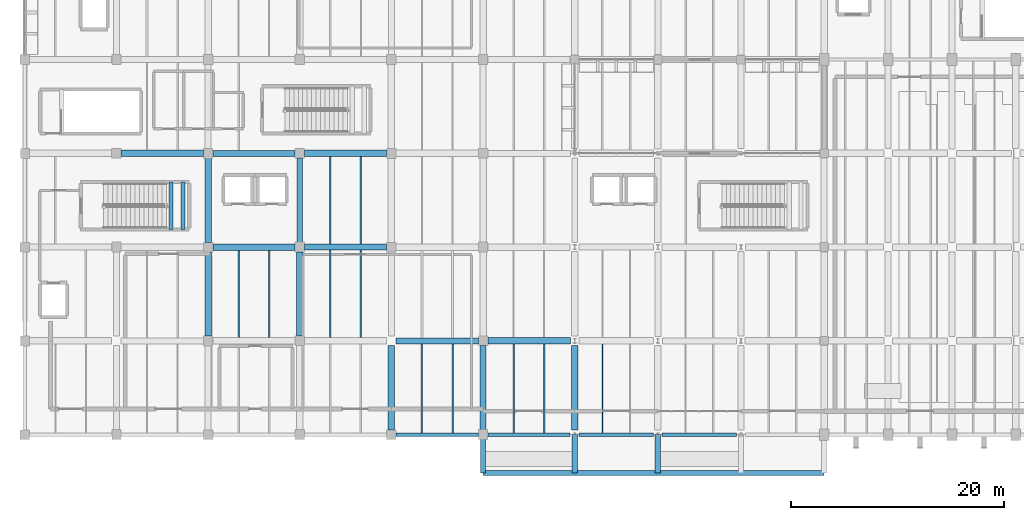
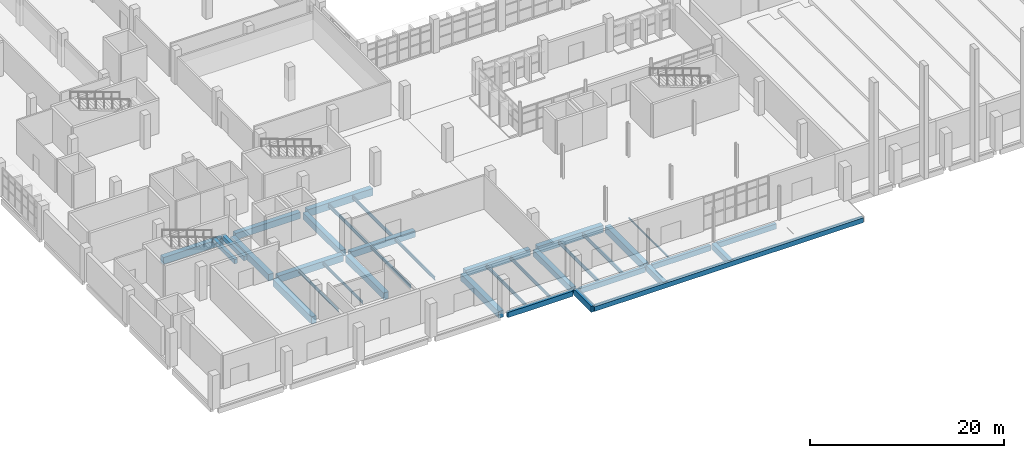
# One storey, part 8 of 76: 35 beams.
"""IFC4 building model written with IfcOpenShell, lengths in metres."""

from ifc_helpers import new_model, si_unit, direction, frame, origin, origin_2d, place, context, subcontext, project, spatial, rectangle, i_section, extrude, material, material_profile, profile_set, type_object, element, save


model = new_model("IFC4")

# Units and contexts
model_context = context("Model", 3, precision=1e-05, world=origin(), true_north=direction((0.0, 1.0)))
body_context = subcontext(model_context, "Body", "Model", "MODEL_VIEW")
ifc_project = project(units=[si_unit("LENGTHUNIT", "METRE"), si_unit("AREAUNIT", "SQUARE_METRE"), si_unit("VOLUMEUNIT", "CUBIC_METRE"), si_unit("PLANEANGLEUNIT", "RADIAN"), si_unit("MASSUNIT", "GRAM", prefix="KILO")], contexts=[model_context])

# Site, building, storey
site_placement = place(None, origin())
site = spatial("IfcSite", under=ifc_project, at=site_placement, CompositionType="ELEMENT")
building_placement = place(site_placement, origin())
building = spatial("IfcBuilding", under=site, at=building_placement, Name="Varnakota Cinema and Media Centre", CompositionType="ELEMENT")
storey_placement = place(building_placement, origin())
storey = spatial("IfcBuildingStorey", under=building, at=storey_placement, Name="L00", CompositionType="ELEMENT", Elevation=0.0)

# Beams
ifc_material_1 = material(Name="Concrete M35", Category="concrete")
ifc_material_profile_1 = material_profile(ifc_material_1, rectangle(XDim=0.39990234375, YDim=0.550048828125, at=origin_2d()), Name="RCB 400x550")
ifc_profile_set_1 = profile_set([ifc_material_profile_1], Name="Concrete M35")
beam_type_1 = type_object("IfcBeamType", Name="BM-RC-400x550", PredefinedType="BEAM", material=ifc_profile_set_1)
for number, where, z_axis, x_axis, name in (
    (1, (13.719970703125, 19.25, 1.77490234375), (0.0, 1.0, 0.0), (-1.0, 0.0, 0.0), "L00 ST-01 landing support beam 1"),
    (2, (14.840087890625, 19.25, 1.77490234375), (0.0, 1.0, 0.0), (-1.0, 0.0, 0.0), "L00 ST-01 landing support beam 2"),
):
    element("IfcBeam", number, at=place(storey_placement, frame(where, z_axis=z_axis, x_axis=x_axis)), inside=storey, type_object=beam_type_1, Name=name, PredefinedType="BEAM", context=body_context, shape_type="SweptSolid", body=[
        extrude(rectangle(XDim=0.39990234375, YDim=0.550048828125, at=origin_2d()), origin(), (0.0, 0.0, 1.0), 4.449951171875),
    ])
ifc_material_2 = material(Name="Concrete M35", Category="concrete")
ifc_material_profile_2 = material_profile(ifc_material_2, rectangle(XDim=0.449951171875, YDim=0.60009765625, at=origin_2d()), Name="RCB 450x600")
ifc_profile_set_2 = profile_set([ifc_material_profile_2], Name="Concrete M35")
beam_type_2 = type_object("IfcBeamType", Name="BM-RC-450x600", PredefinedType="BEAM", material=ifc_profile_set_2)
beam_1_placement = place(storey_placement, frame((43.0, -3.60009765625, -0.5), z_axis=(1.0, 0.0, 0.0), x_axis=(0.0, 1.0, 0.0)))
element("IfcBeam", 3, at=beam_1_placement, inside=storey, type_object=beam_type_2, Name="South forecourt edge beam", PredefinedType="BEAM", context=body_context, shape_type="SweptSolid", body=[
    extrude(rectangle(XDim=0.449951171875, YDim=0.60009765625, at=origin_2d()), origin(), (0.0, 0.0, 1.0), 32.0),
])
ifc_material_3 = material(Name="Concrete M35", Category="concrete")
ifc_material_profile_3 = material_profile(ifc_material_3, rectangle(XDim=0.5, YDim=0.75, at=origin_2d()), Name="RCB 500x750")
ifc_profile_set_3 = profile_set([ifc_material_profile_3], Name="Concrete M35")
beam_type_3 = type_object("IfcBeamType", Name="BM-RC-500x750", PredefinedType="BEAM", material=ifc_profile_set_3)
for number, where, z_axis, x_axis, name in (
    (4, (43.0, 0.0, -0.574951171875), (0.0, -1.0, 0.0), (1.0, 0.0, 0.0), "South forecourt grade beam 1"),
    (5, (51.60009765625, 0.0, -0.574951171875), (0.0, -1.0, 0.0), (1.0, 0.0, 0.0), "South forecourt grade beam 2"),
    (6, (59.39990234375, 0.0, -0.574951171875), (0.0, -1.0, 0.0), (1.0, 0.0, 0.0), "South forecourt grade beam 3"),
):
    element("IfcBeam", number, at=place(storey_placement, frame(where, z_axis=z_axis, x_axis=x_axis)), inside=storey, type_object=beam_type_3, Name=name, PredefinedType="BEAM", context=body_context, shape_type="SweptSolid", body=[
        extrude(rectangle(XDim=0.5, YDim=0.75, at=origin_2d()), origin(), (0.0, 0.0, 1.0), 3.60009765625),
    ])
ifc_material_4 = material(Name="Concrete M35", Category="concrete")
ifc_material_profile_4 = material_profile(ifc_material_4, rectangle(XDim=0.550048828125, YDim=0.800048828125, at=origin_2d()), Name="RCB 550x800")
ifc_profile_set_4 = profile_set([ifc_material_profile_4], Name="Concrete M35")
beam_type_4 = type_object("IfcBeamType", Name="BM-RC-550x800", PredefinedType="BEAM", material=ifc_profile_set_4)
for number, where, z_axis, x_axis, name in (
    (7, (34.85009765625, 8.800048828125, -0.679931640625), (1.0, 0.0, 0.0), (0.0, 1.0, 0.0), "L00 girder E-F/2"),
    (8, (26.25, 17.60009765625, -0.679931640625), (1.0, 0.0, 0.0), (0.0, 1.0, 0.0), "L00 girder D-E/3"),
):
    element("IfcBeam", number, at=place(storey_placement, frame(where, z_axis=z_axis, x_axis=x_axis)), inside=storey, type_object=beam_type_4, Name=name, PredefinedType="BEAM", context=body_context, shape_type="SweptSolid", body=[
        extrude(rectangle(XDim=0.550048828125, YDim=0.800048828125, at=origin_2d()), origin(), (0.0, 0.0, 1.0), 7.699951171875),
    ])
beam_2_placement = place(storey_placement, frame((17.64990234375, 26.39990234375, -0.679931640625), z_axis=(1.0, 0.0, 0.0), x_axis=(0.0, 1.0, 0.0)))
element("IfcBeam", 9, at=beam_2_placement, inside=storey, type_object=beam_type_4, Name="L00 girder C-D/4", PredefinedType="BEAM", context=body_context, shape_type="SweptSolid", body=[
    extrude(rectangle(XDim=0.550048828125, YDim=0.800048828125, at=origin_2d()), origin(), (0.0, 0.0, 1.0), 7.7001953125),
])
beam_3_placement = place(storey_placement, frame((25.800048828125, 18.050048828125, -0.679931640625), z_axis=(0.0, 1.0, 0.0), x_axis=(-1.0, 0.0, 0.0)))
element("IfcBeam", 10, at=beam_3_placement, inside=storey, type_object=beam_type_4, Name="L00 girder D/3-4", PredefinedType="BEAM", context=body_context, shape_type="SweptSolid", body=[
    extrude(rectangle(XDim=0.550048828125, YDim=0.800048828125, at=origin_2d()), origin(), (0.0, 0.0, 1.0), 7.89990234375),
])
beam_4_placement = place(storey_placement, frame((43.0, 0.449951171875, -0.679931640625), z_axis=(0.0, 1.0, 0.0), x_axis=(-1.0, 0.0, 0.0)))
element("IfcBeam", 11, at=beam_4_placement, inside=storey, type_object=beam_type_4, Name="L00 girder F/1-2", PredefinedType="BEAM", context=body_context, shape_type="SweptSolid", body=[
    extrude(rectangle(XDim=0.550048828125, YDim=0.800048828125, at=origin_2d()), origin(), (0.0, 0.0, 1.0), 7.900146484375),
])
ifc_material_5 = material(Name="Concrete M35", Category="concrete")
ifc_material_profile_5 = material_profile(ifc_material_5, rectangle(XDim=0.60009765625, YDim=0.85009765625, at=origin_2d()), Name="RCB 600x850")
ifc_profile_set_5 = profile_set([ifc_material_profile_5], Name="Concrete M35")
beam_type_5 = type_object("IfcBeamType", Name="BM-RC-600x850", PredefinedType="BEAM", material=ifc_profile_set_5)
beam_5_placement = place(storey_placement, frame((17.64990234375, 17.60009765625, -0.705078125), z_axis=(1.0, 0.0, 0.0), x_axis=(0.0, 1.0, 0.0)))
element("IfcBeam", 12, at=beam_5_placement, inside=storey, type_object=beam_type_5, Name="L00 girder C-D/3", PredefinedType="BEAM", context=body_context, shape_type="SweptSolid", body=[
    extrude(rectangle(XDim=0.60009765625, YDim=0.85009765625, at=origin_2d()), origin(), (0.0, 0.0, 1.0), 7.7001953125),
])
beam_6_placement = place(storey_placement, frame((9.050048828125, 26.39990234375, -0.705078125), z_axis=(1.0, 0.0, 0.0), x_axis=(0.0, 1.0, 0.0)))
element("IfcBeam", 13, at=beam_6_placement, inside=storey, type_object=beam_type_5, Name="L00 girder B-C/4", PredefinedType="BEAM", context=body_context, shape_type="SweptSolid", body=[
    extrude(rectangle(XDim=0.60009765625, YDim=0.85009765625, at=origin_2d()), origin(), (0.0, 0.0, 1.0), 7.699951171875),
])
for number, where, z_axis, x_axis, name in (
    (14, (17.199951171875, 18.050048828125, -0.705078125), (0.0, 1.0, 0.0), (-1.0, 0.0, 0.0), "L00 girder C/3-4"),
    (15, (25.800048828125, 9.25, -0.705078125), (0.0, 1.0, 0.0), (-1.0, 0.0, 0.0), "L00 girder D/2-3"),
):
    element("IfcBeam", number, at=place(storey_placement, frame(where, z_axis=z_axis, x_axis=x_axis)), inside=storey, type_object=beam_type_5, Name=name, PredefinedType="BEAM", context=body_context, shape_type="SweptSolid", body=[
        extrude(rectangle(XDim=0.60009765625, YDim=0.85009765625, at=origin_2d()), origin(), (0.0, 0.0, 1.0), 7.89990234375),
    ])
beam_7_placement = place(storey_placement, frame((34.39990234375, 0.449951171875, -0.705078125), z_axis=(0.0, 1.0, 0.0), x_axis=(-1.0, 0.0, 0.0)))
element("IfcBeam", 16, at=beam_7_placement, inside=storey, type_object=beam_type_5, Name="L00 girder E/1-2", PredefinedType="BEAM", context=body_context, shape_type="SweptSolid", body=[
    extrude(rectangle(XDim=0.60009765625, YDim=0.85009765625, at=origin_2d()), origin(), (0.0, 0.0, 1.0), 7.900146484375),
])
ifc_material_6 = material(Name="Concrete M40", Category="concrete")
ifc_material_profile_6 = material_profile(ifc_material_6, rectangle(XDim=0.60009765625, YDim=0.89990234375, at=origin_2d()), Name="RCB 600x900")
ifc_profile_set_6 = profile_set([ifc_material_profile_6], Name="Concrete M40")
beam_type_6 = type_object("IfcBeamType", Name="BM-RC-600x900", PredefinedType="BEAM", material=ifc_profile_set_6)
beam_8_placement = place(storey_placement, frame((43.449951171875, 8.800048828125, -0.72998046875), z_axis=(1.0, 0.0, 0.0), x_axis=(0.0, 1.0, 0.0)))
element("IfcBeam", 17, at=beam_8_placement, inside=storey, type_object=beam_type_6, Name="L00 girder F-G/2", PredefinedType="BEAM", context=body_context, shape_type="SweptSolid", body=[
    extrude(rectangle(XDim=0.60009765625, YDim=0.89990234375, at=origin_2d()), origin(), (0.0, 0.0, 1.0), 7.75),
])
beam_9_placement = place(storey_placement, frame((26.25, 26.39990234375, -0.72998046875), z_axis=(1.0, 0.0, 0.0), x_axis=(0.0, 1.0, 0.0)))
element("IfcBeam", 18, at=beam_9_placement, inside=storey, type_object=beam_type_6, Name="L00 girder D-E/4", PredefinedType="BEAM", context=body_context, shape_type="SweptSolid", body=[
    extrude(rectangle(XDim=0.60009765625, YDim=0.89990234375, at=origin_2d()), origin(), (0.0, 0.0, 1.0), 7.699951171875),
])
beam_10_placement = place(storey_placement, frame((17.199951171875, 9.25, -0.72998046875), z_axis=(0.0, 1.0, 0.0), x_axis=(-1.0, 0.0, 0.0)))
element("IfcBeam", 19, at=beam_10_placement, inside=storey, type_object=beam_type_6, Name="L00 girder C/2-3", PredefinedType="BEAM", context=body_context, shape_type="SweptSolid", body=[
    extrude(rectangle(XDim=0.60009765625, YDim=0.89990234375, at=origin_2d()), origin(), (0.0, 0.0, 1.0), 7.89990234375),
])
beam_11_placement = place(storey_placement, frame((51.60009765625, 0.425048828125, -0.72998046875), z_axis=(0.0, 1.0, 0.0), x_axis=(-1.0, 0.0, 0.0)))
element("IfcBeam", 20, at=beam_11_placement, inside=storey, type_object=beam_type_6, Name="L00 girder G/1-2", PredefinedType="BEAM", context=body_context, shape_type="SweptSolid", body=[
    extrude(rectangle(XDim=0.60009765625, YDim=0.89990234375, at=origin_2d()), origin(), (0.0, 0.0, 1.0), 7.925048828125),
])
ifc_material_7 = material(Name="Concrete M40", Category="concrete")
ifc_material_profile_7 = material_profile(ifc_material_7, rectangle(XDim=0.35009765625, YDim=0.64990234375, at=origin_2d()), Name="RCB 350x650")
ifc_profile_set_7 = profile_set([ifc_material_profile_7], Name="Concrete M40")
beam_type_7 = type_object("IfcBeamType", Name="BM-SP-350x650", PredefinedType="SPANDREL", material=ifc_profile_set_7)
beam_12_placement = place(storey_placement, frame((34.85009765625, 0.0, -0.60498046875), z_axis=(1.0, 0.0, 0.0), x_axis=(0.0, 1.0, 0.0)))
element("IfcBeam", 21, at=beam_12_placement, inside=storey, type_object=beam_type_7, Name="L00 girder E-F/1", PredefinedType="SPANDREL", context=body_context, shape_type="SweptSolid", body=[
    extrude(rectangle(XDim=0.35009765625, YDim=0.64990234375, at=origin_2d()), origin(), (0.0, 0.0, 1.0), 7.699951171875),
])
beam_13_placement = place(storey_placement, frame((43.449951171875, 0.0, -0.60498046875), z_axis=(1.0, 0.0, 0.0), x_axis=(0.0, 1.0, 0.0)))
element("IfcBeam", 22, at=beam_13_placement, inside=storey, type_object=beam_type_7, Name="L00 girder F-G/1", PredefinedType="SPANDREL", context=body_context, shape_type="SweptSolid", body=[
    extrude(rectangle(XDim=0.35009765625, YDim=0.64990234375, at=origin_2d()), origin(), (0.0, 0.0, 1.0), 7.72509765625),
])
beam_14_placement = place(storey_placement, frame((52.02490234375, 0.0, -0.60498046875), z_axis=(1.0, 0.0, 0.0), x_axis=(0.0, 1.0, 0.0)))
element("IfcBeam", 23, at=beam_14_placement, inside=storey, type_object=beam_type_7, Name="L00 girder G-H/1", PredefinedType="SPANDREL", context=body_context, shape_type="SweptSolid", body=[
    extrude(rectangle(XDim=0.35009765625, YDim=0.64990234375, at=origin_2d()), origin(), (0.0, 0.0, 1.0), 6.97509765625),
])
beam_15_placement = place(storey_placement, frame((59.800048828125, 0.0, -0.60498046875), z_axis=(1.0, 0.0, 0.0), x_axis=(0.0, 1.0, 0.0)))
element("IfcBeam", 24, at=beam_15_placement, inside=storey, type_object=beam_type_7, Name="L00 girder H-J/1", PredefinedType="SPANDREL", context=body_context, shape_type="SweptSolid", body=[
    extrude(rectangle(XDim=0.35009765625, YDim=0.64990234375, at=origin_2d()), origin(), (0.0, 0.0, 1.0), 6.974853515625),
])
ifc_material_8 = material(Name="Structural steel Grade 350 (E350)", Category="steel")
ifc_material_profile_8 = material_profile(ifc_material_8, i_section(OverallWidth=0.10009765625, OverallDepth=0.199951171875, WebThickness=0.005615234375, FlangeThickness=0.0107421875, FilletRadius=0.010986328125, at=origin_2d()), Name="ISMB 200")
ifc_profile_set_8 = profile_set([ifc_material_profile_8], Name="Structural steel Grade 350 (E350)")
beam_type_8 = type_object("IfcBeamType", Name="BM-ST-ISMB200", PredefinedType="JOIST", material=ifc_profile_set_8)
beam_16_placement = place(storey_placement, frame((54.199951171875, 0.175048828125, -0.3798828125), z_axis=(0.0, 1.0, 0.0), x_axis=(-1.0, 0.0, 0.0)))
element("IfcBeam", 25, at=beam_16_placement, inside=storey, type_object=beam_type_8, Name="L00 steel joist G-H/1-2 #1", PredefinedType="JOIST", context=body_context, shape_type="SweptSolid", body=[
    extrude(i_section(OverallWidth=0.10009765625, OverallDepth=0.199951171875, WebThickness=0.005615234375, FlangeThickness=0.0107421875, FilletRadius=0.010986328125, at=origin_2d()), origin(), (0.0, 0.0, 1.0), 8.324951171875),
])
ifc_material_9 = material(Name="Structural steel Grade 350 (E350)", Category="steel")
ifc_material_profile_9 = material_profile(ifc_material_9, i_section(OverallWidth=0.139892578125, OverallDepth=0.35009765625, WebThickness=0.008056640625, FlangeThickness=0.01416015625, FilletRadius=0.013916015625, at=origin_2d()), Name="ISMB 350")
ifc_profile_set_9 = profile_set([ifc_material_profile_9], Name="Structural steel Grade 350 (E350)")
beam_type_9 = type_object("IfcBeamType", Name="BM-ST-ISMB350", PredefinedType="JOIST", material=ifc_profile_set_9)
for number, where, z_axis, x_axis, name in (
    (26, (20.066650390625, 9.10009765625, -0.455078125), (0.0, 1.0, 0.0), (-1.0, 0.0, 0.0), "L00 steel joist C-D/2-3 #1"),
    (27, (22.933349609375, 9.10009765625, -0.455078125), (0.0, 1.0, 0.0), (-1.0, 0.0, 0.0), "L00 steel joist C-D/2-3 #2"),
):
    element("IfcBeam", number, at=place(storey_placement, frame(where, z_axis=z_axis, x_axis=x_axis)), inside=storey, type_object=beam_type_9, Name=name, PredefinedType="JOIST", context=body_context, shape_type="SweptSolid", body=[
        extrude(i_section(OverallWidth=0.139892578125, OverallDepth=0.35009765625, WebThickness=0.008056640625, FlangeThickness=0.01416015625, FilletRadius=0.013916015625, at=origin_2d()), origin(), (0.0, 0.0, 1.0), 8.199951171875),
    ])
ifc_material_10 = material(Name="Structural steel Grade 350 (E350)", Category="steel")
ifc_material_profile_10 = material_profile(ifc_material_10, i_section(OverallWidth=0.139892578125, OverallDepth=0.39990234375, WebThickness=0.0087890625, FlangeThickness=0.01611328125, FilletRadius=0.013916015625, at=origin_2d()), Name="ISMB 400")
ifc_profile_set_10 = profile_set([ifc_material_profile_10], Name="Structural steel Grade 350 (E350)")
beam_type_10 = type_object("IfcBeamType", Name="BM-ST-ISMB400", PredefinedType="JOIST", material=ifc_profile_set_10)
for number, where, z_axis, x_axis, name in (
    (28, (28.666748046875, 9.10009765625, -0.47998046875), (0.0, 1.0, 0.0), (-1.0, 0.0, 0.0), "L00 steel joist D-E/2-3 #1"),
    (29, (31.533203125, 9.10009765625, -0.47998046875), (0.0, 1.0, 0.0), (-1.0, 0.0, 0.0), "L00 steel joist D-E/2-3 #2"),
):
    element("IfcBeam", number, at=place(storey_placement, frame(where, z_axis=z_axis, x_axis=x_axis)), inside=storey, type_object=beam_type_10, Name=name, PredefinedType="JOIST", context=body_context, shape_type="SweptSolid", body=[
        extrude(i_section(OverallWidth=0.139892578125, OverallDepth=0.39990234375, WebThickness=0.0087890625, FlangeThickness=0.01611328125, FilletRadius=0.013916015625, at=origin_2d()), origin(), (0.0, 0.0, 1.0), 8.224853515625),
    ])
for number, where, z_axis, x_axis, name in (
    (30, (37.2666015625, 0.175048828125, -0.47998046875), (0.0, 1.0, 0.0), (-1.0, 0.0, 0.0), "L00 steel joist E-F/1-2 #1"),
    (31, (40.13330078125, 0.175048828125, -0.47998046875), (0.0, 1.0, 0.0), (-1.0, 0.0, 0.0), "L00 steel joist E-F/1-2 #2"),
):
    element("IfcBeam", number, at=place(storey_placement, frame(where, z_axis=z_axis, x_axis=x_axis)), inside=storey, type_object=beam_type_10, Name=name, PredefinedType="JOIST", context=body_context, shape_type="SweptSolid", body=[
        extrude(i_section(OverallWidth=0.139892578125, OverallDepth=0.39990234375, WebThickness=0.0087890625, FlangeThickness=0.01611328125, FilletRadius=0.013916015625, at=origin_2d()), origin(), (0.0, 0.0, 1.0), 8.349853515625),
    ])
ifc_material_11 = material(Name="Structural steel Grade 350 (E350)", Category="steel")
ifc_material_profile_11 = material_profile(ifc_material_11, i_section(OverallWidth=0.14990234375, OverallDepth=0.449951171875, WebThickness=0.009521484375, FlangeThickness=0.017333984375, FilletRadius=0.014892578125, at=origin_2d()), Name="ISMB 450")
ifc_profile_set_11 = profile_set([ifc_material_profile_11], Name="Structural steel Grade 350 (E350)")
beam_type_11 = type_object("IfcBeamType", Name="BM-ST-ISMB450", PredefinedType="BEAM", material=ifc_profile_set_11)
for number, where, z_axis, x_axis, name in (
    (32, (28.666748046875, 17.875, -0.5048828125), (0.0, 1.0, 0.0), (-1.0, 0.0, 0.0), "L00 steel joist D-E/3-4 #1"),
    (33, (31.533203125, 17.875, -0.5048828125), (0.0, 1.0, 0.0), (-1.0, 0.0, 0.0), "L00 steel joist D-E/3-4 #2"),
):
    element("IfcBeam", number, at=place(storey_placement, frame(where, z_axis=z_axis, x_axis=x_axis)), inside=storey, type_object=beam_type_11, Name=name, PredefinedType="BEAM", context=body_context, shape_type="SweptSolid", body=[
        extrude(i_section(OverallWidth=0.14990234375, OverallDepth=0.449951171875, WebThickness=0.009521484375, FlangeThickness=0.017333984375, FilletRadius=0.014892578125, at=origin_2d()), origin(), (0.0, 0.0, 1.0), 8.22509765625),
    ])
for number, where, z_axis, x_axis, name in (
    (34, (45.86669921875, 0.175048828125, -0.5048828125), (0.0, 1.0, 0.0), (-1.0, 0.0, 0.0), "L00 steel joist F-G/1-2 #1"),
    (35, (48.7333984375, 0.175048828125, -0.5048828125), (0.0, 1.0, 0.0), (-1.0, 0.0, 0.0), "L00 steel joist F-G/1-2 #2"),
):
    element("IfcBeam", number, at=place(storey_placement, frame(where, z_axis=z_axis, x_axis=x_axis)), inside=storey, type_object=beam_type_11, Name=name, PredefinedType="BEAM", context=body_context, shape_type="SweptSolid", body=[
        extrude(i_section(OverallWidth=0.14990234375, OverallDepth=0.449951171875, WebThickness=0.009521484375, FlangeThickness=0.017333984375, FilletRadius=0.014892578125, at=origin_2d()), origin(), (0.0, 0.0, 1.0), 8.324951171875),
    ])

save(model, "model.ifc")
